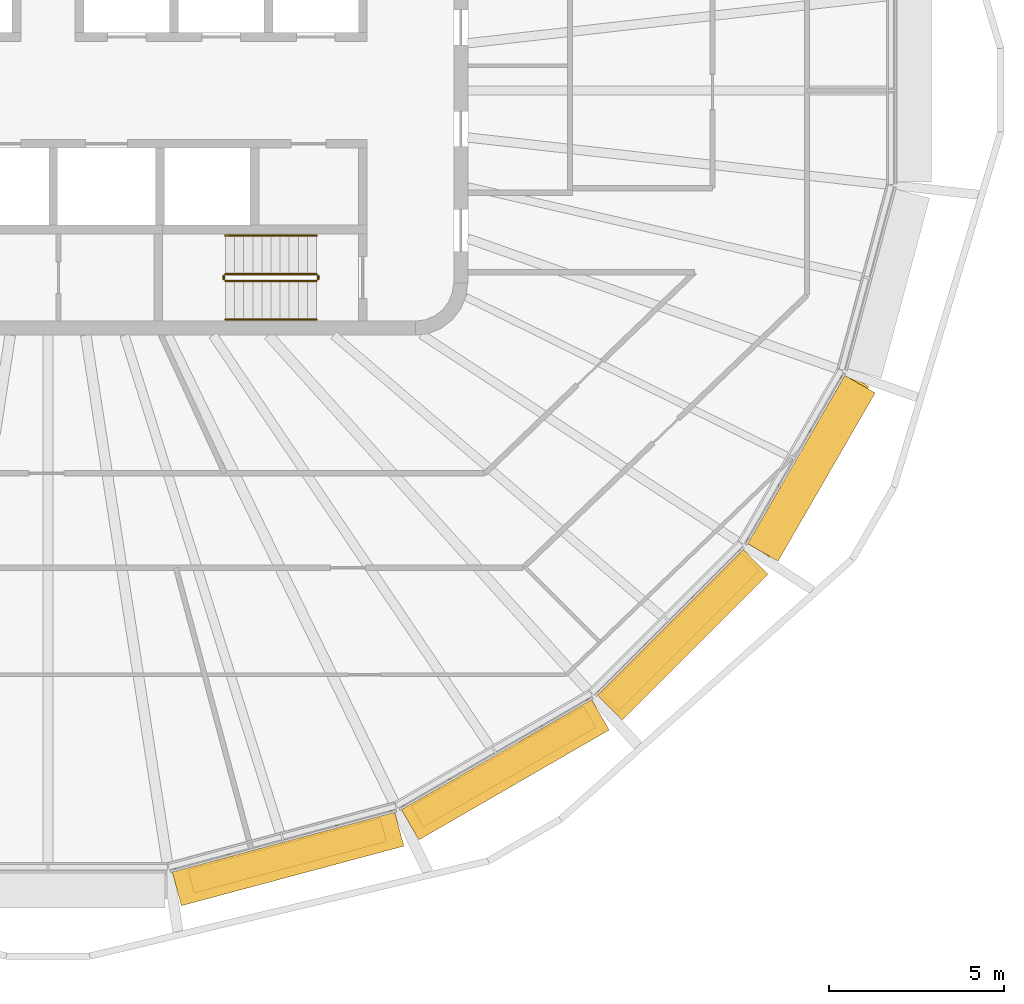
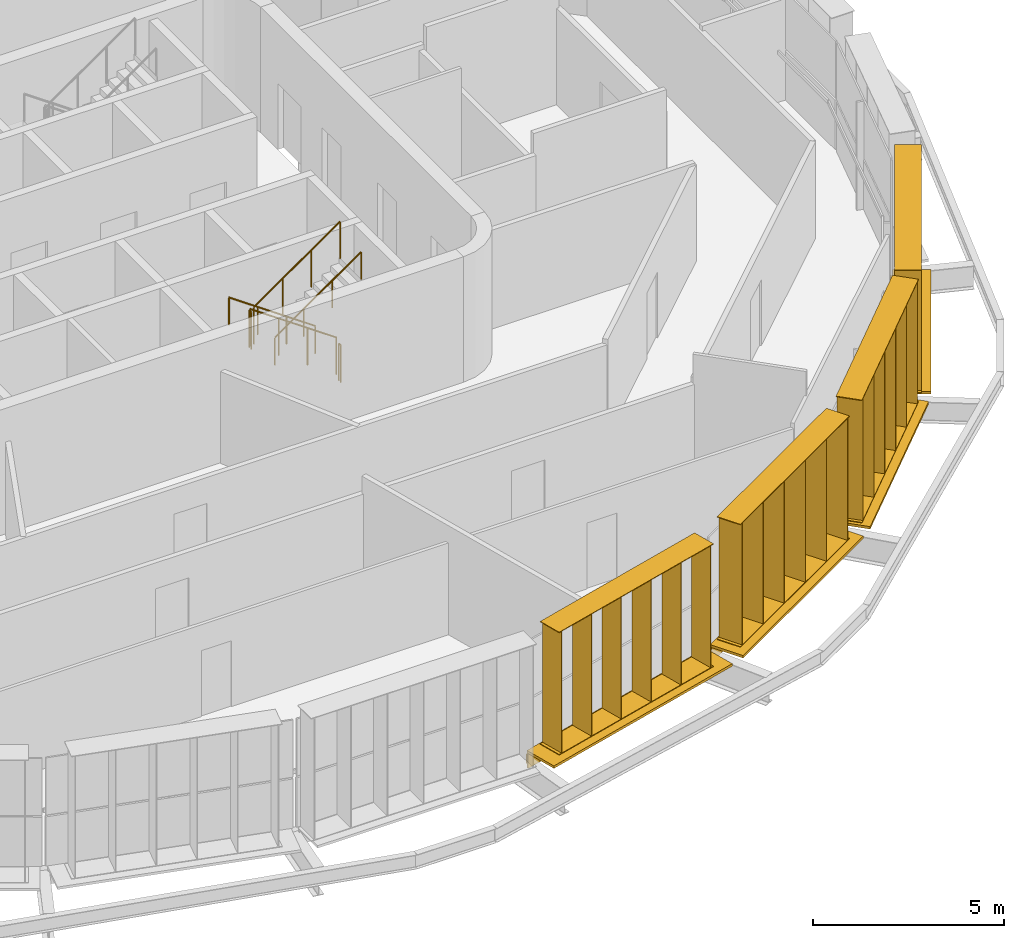
# One storey, part 16 of 18: 8 shading devices, 6 railings.
"""IFC4 building model written with IfcOpenShell, lengths in metres."""

from ifc_helpers import new_model, si_unit, direction, frame, origin, origin_2d, place, context, subcontext, project, spatial, rectangle, circle, extrude, material, type_object, element, save


model = new_model("IFC4")

# Units and contexts
model_context = context("Model", 3, precision=1e-05, world=origin(), true_north=direction((0.0, 1.0)))
body_context = subcontext(model_context, "Body", "Model", "MODEL_VIEW")
ifc_project = project(units=[si_unit("LENGTHUNIT", "METRE"), si_unit("AREAUNIT", "SQUARE_METRE"), si_unit("VOLUMEUNIT", "CUBIC_METRE"), si_unit("PLANEANGLEUNIT", "RADIAN"), si_unit("MASSUNIT", "GRAM", prefix="KILO")], contexts=[model_context])

# Site, building, storey
site_placement = place(None, origin())
site = spatial("IfcSite", under=ifc_project, at=site_placement, CompositionType="ELEMENT")
building_placement = place(site_placement, origin())
building = spatial("IfcBuilding", under=site, at=building_placement, Name="Sahrelin Media Tower", CompositionType="ELEMENT")
storey_placement = place(building_placement, frame((0.0, 0.0, 320.39990234375)))
storey = spatial("IfcBuildingStorey", under=building, at=storey_placement, Name="L71", CompositionType="ELEMENT", Elevation=320.39990234375)

# Shading devices
ifc_material_1 = material(Name="Champagne anodised aluminium 6063-T6", Category="aluminium")
shading_device_type_1 = type_object("IfcShadingDeviceType", Name="Fin cassette", PredefinedType="USERDEFINED", material=ifc_material_1)
placement_1 = place(storey_placement, frame((6.72900390625, -21.47265625, 0.0), z_axis=(0.0, 0.0, 1.0), x_axis=(-0.965928857556, -0.258807731996, 0.0)))
element("IfcShadingDevice", 1, at=placement_1, inside=storey, type_object=shading_device_type_1, Name="L71:FIN:L71-19", ObjectType="FIN", PredefinedType="USERDEFINED", context=body_context, shape_type="SweptSolid", body=[
    extrude(rectangle(XDim=5.699951171875, YDim=0.699951171875, at=origin_2d()), frame((0.0, 0.419921875, 0.0)), (0.0, 0.0, 1.0), 0.02001953125),
    extrude(rectangle(XDim=5.699951171875, YDim=0.699951171875, at=origin_2d()), frame((0.0, 0.419921875, 3.89990234375)), (0.0, 0.0, 1.0), 0.02001953125),
    extrude(rectangle(XDim=0.02001953125, YDim=0.699951171875, at=origin_2d()), frame((-2.75, 0.419921875, 0.010009765625), z_axis=(0.0, 0.0, 1.0), x_axis=(1.0, 0.0, 0.0)), (0.0, 0.0, 1.0), 3.89990234375),
    extrude(rectangle(XDim=0.02001953125, YDim=0.699951171875, at=origin_2d()), frame((-1.64990234375, 0.419921875, 0.010009765625), z_axis=(0.0, 0.0, 1.0), x_axis=(1.0, 0.0, 0.0)), (0.0, 0.0, 1.0), 3.89990234375),
    extrude(rectangle(XDim=0.02001953125, YDim=0.699951171875, at=origin_2d()), frame((-0.550048828125, 0.419921875, 0.010009765625), z_axis=(0.0, 0.0, 1.0), x_axis=(1.0, 0.0, 0.0)), (0.0, 0.0, 1.0), 3.89990234375),
    extrude(rectangle(XDim=0.02001953125, YDim=0.699951171875, at=origin_2d()), frame((0.550048828125, 0.419921875, 0.010009765625), z_axis=(0.0, 0.0, 1.0), x_axis=(1.0, 0.0, 0.0)), (0.0, 0.0, 1.0), 3.89990234375),
    extrude(rectangle(XDim=0.02001953125, YDim=0.699951171875, at=origin_2d()), frame((1.64990234375, 0.419921875, 0.010009765625), z_axis=(0.0, 0.0, 1.0), x_axis=(1.0, 0.0, 0.0)), (0.0, 0.0, 1.0), 3.89990234375),
    extrude(rectangle(XDim=0.02001953125, YDim=0.699951171875, at=origin_2d()), frame((2.75, 0.419921875, 0.010009765625), z_axis=(0.0, 0.0, 1.0), x_axis=(1.0, 0.0, 0.0)), (0.0, 0.0, 1.0), 3.89990234375),
])
placement_2 = place(storey_placement, frame((12.813720703125, -18.9736328125, 0.0), z_axis=(0.0, 0.0, 1.0), x_axis=(-0.866019052629, -0.500011000363, 0.0)))
element("IfcShadingDevice", 2, at=placement_2, inside=storey, type_object=shading_device_type_1, Name="L71:FIN:L71-20", ObjectType="FIN", PredefinedType="USERDEFINED", context=body_context, shape_type="SweptSolid", body=[
    extrude(rectangle(XDim=5.699951171875, YDim=0.699951171875, at=origin_2d()), frame((0.0, 0.419921875, 0.0)), (0.0, 0.0, 1.0), 0.02001953125),
    extrude(rectangle(XDim=5.699951171875, YDim=0.699951171875, at=origin_2d()), frame((0.0, 0.419921875, 3.89990234375)), (0.0, 0.0, 1.0), 0.02001953125),
    extrude(rectangle(XDim=0.02001953125, YDim=0.699951171875, at=origin_2d()), frame((-2.75, 0.419921875, 0.010009765625), z_axis=(0.0, 0.0, 1.0), x_axis=(1.0, 0.0, 0.0)), (0.0, 0.0, 1.0), 3.89990234375),
    extrude(rectangle(XDim=0.02001953125, YDim=0.699951171875, at=origin_2d()), frame((-1.64990234375, 0.419921875, 0.010009765625), z_axis=(0.0, 0.0, 1.0), x_axis=(1.0, 0.0, 0.0)), (0.0, 0.0, 1.0), 3.89990234375),
    extrude(rectangle(XDim=0.02001953125, YDim=0.699951171875, at=origin_2d()), frame((-0.550048828125, 0.419921875, 0.010009765625), z_axis=(0.0, 0.0, 1.0), x_axis=(1.0, 0.0, 0.0)), (0.0, 0.0, 1.0), 3.89990234375),
    extrude(rectangle(XDim=0.02001953125, YDim=0.699951171875, at=origin_2d()), frame((0.550048828125, 0.419921875, 0.010009765625), z_axis=(0.0, 0.0, 1.0), x_axis=(1.0, 0.0, 0.0)), (0.0, 0.0, 1.0), 3.89990234375),
    extrude(rectangle(XDim=0.02001953125, YDim=0.699951171875, at=origin_2d()), frame((1.64990234375, 0.419921875, 0.010009765625), z_axis=(0.0, 0.0, 1.0), x_axis=(1.0, 0.0, 0.0)), (0.0, 0.0, 1.0), 3.89990234375),
    extrude(rectangle(XDim=0.02001953125, YDim=0.699951171875, at=origin_2d()), frame((2.75, 0.419921875, 0.010009765625), z_axis=(0.0, 0.0, 1.0), x_axis=(1.0, 0.0, 0.0)), (0.0, 0.0, 1.0), 3.89990234375),
])
placement_3 = place(storey_placement, frame((17.7783203125, -15.195556640625, 0.0), z_axis=(0.0, 0.0, 1.0), x_axis=(-0.707106781187, -0.707106781187, 0.0)))
element("IfcShadingDevice", 3, at=placement_3, inside=storey, type_object=shading_device_type_1, Name="L71:FIN:L71-21", ObjectType="FIN", PredefinedType="USERDEFINED", context=body_context, shape_type="SweptSolid", body=[
    extrude(rectangle(XDim=5.699951171875, YDim=0.699951171875, at=origin_2d()), frame((0.0, 0.419921875, 0.0)), (0.0, 0.0, 1.0), 0.02001953125),
    extrude(rectangle(XDim=5.699951171875, YDim=0.699951171875, at=origin_2d()), frame((0.0, 0.419921875, 3.89990234375)), (0.0, 0.0, 1.0), 0.02001953125),
    extrude(rectangle(XDim=0.02001953125, YDim=0.699951171875, at=origin_2d()), frame((-2.75, 0.419921875, 0.010009765625), z_axis=(0.0, 0.0, 1.0), x_axis=(1.0, 0.0, 0.0)), (0.0, 0.0, 1.0), 3.89990234375),
    extrude(rectangle(XDim=0.02001953125, YDim=0.699951171875, at=origin_2d()), frame((-1.64990234375, 0.419921875, 0.010009765625), z_axis=(0.0, 0.0, 1.0), x_axis=(1.0, 0.0, 0.0)), (0.0, 0.0, 1.0), 3.89990234375),
    extrude(rectangle(XDim=0.02001953125, YDim=0.699951171875, at=origin_2d()), frame((-0.550048828125, 0.419921875, 0.010009765625), z_axis=(0.0, 0.0, 1.0), x_axis=(1.0, 0.0, 0.0)), (0.0, 0.0, 1.0), 3.89990234375),
    extrude(rectangle(XDim=0.02001953125, YDim=0.699951171875, at=origin_2d()), frame((0.550048828125, 0.419921875, 0.010009765625), z_axis=(0.0, 0.0, 1.0), x_axis=(1.0, 0.0, 0.0)), (0.0, 0.0, 1.0), 3.89990234375),
    extrude(rectangle(XDim=0.02001953125, YDim=0.699951171875, at=origin_2d()), frame((1.64990234375, 0.419921875, 0.010009765625), z_axis=(0.0, 0.0, 1.0), x_axis=(1.0, 0.0, 0.0)), (0.0, 0.0, 1.0), 3.89990234375),
    extrude(rectangle(XDim=0.02001953125, YDim=0.699951171875, at=origin_2d()), frame((2.75, 0.419921875, 0.010009765625), z_axis=(0.0, 0.0, 1.0), x_axis=(1.0, 0.0, 0.0)), (0.0, 0.0, 1.0), 3.89990234375),
])
placement_4 = place(storey_placement, frame((21.374755859375, -10.5458984375, 0.0), z_axis=(0.0, 0.0, 1.0), x_axis=(-0.500011000363, -0.866019052629, 0.0)))
element("IfcShadingDevice", 4, at=placement_4, inside=storey, type_object=shading_device_type_1, Name="L71:FIN:L71-22", ObjectType="FIN", PredefinedType="USERDEFINED", context=body_context, shape_type="SweptSolid", body=[
    extrude(rectangle(XDim=5.699951171875, YDim=0.699951171875, at=origin_2d()), frame((0.0, 0.419921875, 0.0)), (0.0, 0.0, 1.0), 0.02001953125),
    extrude(rectangle(XDim=5.699951171875, YDim=0.699951171875, at=origin_2d()), frame((0.0, 0.419921875, 3.89990234375)), (0.0, 0.0, 1.0), 0.02001953125),
    extrude(rectangle(XDim=0.02001953125, YDim=0.699951171875, at=origin_2d()), frame((-2.75, 0.419921875, 0.010009765625), z_axis=(0.0, 0.0, 1.0), x_axis=(1.0, 0.0, 0.0)), (0.0, 0.0, 1.0), 3.89990234375),
    extrude(rectangle(XDim=0.02001953125, YDim=0.699951171875, at=origin_2d()), frame((-1.64990234375, 0.419921875, 0.010009765625), z_axis=(0.0, 0.0, 1.0), x_axis=(1.0, 0.0, 0.0)), (0.0, 0.0, 1.0), 3.89990234375),
    extrude(rectangle(XDim=0.02001953125, YDim=0.699951171875, at=origin_2d()), frame((-0.550048828125, 0.419921875, 0.010009765625), z_axis=(0.0, 0.0, 1.0), x_axis=(1.0, 0.0, 0.0)), (0.0, 0.0, 1.0), 3.89990234375),
    extrude(rectangle(XDim=0.02001953125, YDim=0.699951171875, at=origin_2d()), frame((0.550048828125, 0.419921875, 0.010009765625), z_axis=(0.0, 0.0, 1.0), x_axis=(1.0, 0.0, 0.0)), (0.0, 0.0, 1.0), 3.89990234375),
    extrude(rectangle(XDim=0.02001953125, YDim=0.699951171875, at=origin_2d()), frame((1.64990234375, 0.419921875, 0.010009765625), z_axis=(0.0, 0.0, 1.0), x_axis=(1.0, 0.0, 0.0)), (0.0, 0.0, 1.0), 3.89990234375),
    extrude(rectangle(XDim=0.02001953125, YDim=0.699951171875, at=origin_2d()), frame((2.75, 0.419921875, 0.010009765625), z_axis=(0.0, 0.0, 1.0), x_axis=(1.0, 0.0, 0.0)), (0.0, 0.0, 1.0), 3.89990234375),
])

# Railings
ifc_material_2 = material(Name="Steel S355", Category="steel")
railing_type_1 = type_object("IfcRailingType", Name="Stair guard 1200", PredefinedType="GUARDRAIL", material=ifc_material_2)
railing_1_placement = place(storey_placement, frame((7.675048828125, -5.25, 0.181884765625)))
element("IfcRailing", 5, at=railing_1_placement, inside=storey, type_object=railing_type_1, Name="L71 ST2 stair guard 1", PredefinedType="GUARDRAIL", context=body_context, shape_type="SweptSolid", body=[
    extrude(circle(Radius=0.02392578125, at=origin_2d()), frame((0.0, 0.0, 1.17578125), z_axis=(-0.819521025635, 0.0, 0.573049115296), x_axis=(0.0, -1.0, 0.0)), (0.0, 0.0, 1.0), 3.172607421875),
    extrude(circle(Radius=0.02099609375, at=origin_2d()), origin(), (0.0, 0.0, 1.0), 1.15185546875),
    extrude(circle(Radius=0.02099609375, at=origin_2d()), frame((-0.86669921875, 0.0, 0.60595703125)), (0.0, 0.0, 1.0), 1.15185546875),
    extrude(circle(Radius=0.02099609375, at=origin_2d()), frame((-1.7333984375, 0.0, 1.212158203125)), (0.0, 0.0, 1.0), 1.15185546875),
    extrude(circle(Radius=0.02099609375, at=origin_2d()), frame((-2.60009765625, 0.0, 1.818115234375)), (0.0, 0.0, 1.0), 1.15185546875),
])
railing_2_placement = place(storey_placement, frame((5.02490234375, -5.300048828125, 2.0)))
element("IfcRailing", 6, at=railing_2_placement, inside=storey, type_object=railing_type_1, Name="L71 ST2 stair guard 2", PredefinedType="GUARDRAIL", context=body_context, shape_type="SweptSolid", body=[
    extrude(circle(Radius=0.02392578125, at=origin_2d()), frame((0.0, 0.0, 1.17578125), z_axis=(0.0, -1.0, 0.0), x_axis=(1.0, 0.0, 0.0)), (0.0, 0.0, 1.0), 0.099853515625),
    extrude(circle(Radius=0.02099609375, at=origin_2d()), origin(), (0.0, 0.0, 1.0), 1.15185546875),
    extrude(circle(Radius=0.02099609375, at=origin_2d()), frame((0.0, -0.099853515625, 0.0)), (0.0, 0.0, 1.0), 1.15185546875),
])
railing_3_placement = place(storey_placement, frame((5.074951171875, -5.449951171875, 2.181884765625)))
element("IfcRailing", 7, at=railing_3_placement, inside=storey, type_object=railing_type_1, Name="L71 ST2 stair guard 3", PredefinedType="GUARDRAIL", context=body_context, shape_type="SweptSolid", body=[
    extrude(circle(Radius=0.02392578125, at=origin_2d()), frame((0.0, 0.0, 1.17578125), z_axis=(0.819521025635, 0.0, 0.573049115296), x_axis=(0.0, 1.0, 0.0)), (0.0, 0.0, 1.0), 3.172607421875),
    extrude(circle(Radius=0.02099609375, at=origin_2d()), origin(), (0.0, 0.0, 1.0), 1.15185546875),
    extrude(circle(Radius=0.02099609375, at=origin_2d()), frame((0.86669921875, 0.0, 0.60595703125)), (0.0, 0.0, 1.0), 1.15185546875),
    extrude(circle(Radius=0.02099609375, at=origin_2d()), frame((1.7333984375, 0.0, 1.212158203125)), (0.0, 0.0, 1.0), 1.15185546875),
    extrude(circle(Radius=0.02099609375, at=origin_2d()), frame((2.60009765625, 0.0, 1.818115234375)), (0.0, 0.0, 1.0), 1.15185546875),
])
railing_4_placement = place(storey_placement, frame((7.72509765625, -5.300048828125, 0.0)))
element("IfcRailing", 8, at=railing_4_placement, inside=storey, type_object=railing_type_1, Name="L71 ST2 stair guard 4", PredefinedType="GUARDRAIL", context=body_context, shape_type="SweptSolid", body=[
    extrude(circle(Radius=0.02392578125, at=origin_2d()), frame((0.0, 0.0, 1.17578125), z_axis=(0.0, -1.0, 0.0), x_axis=(1.0, 0.0, 0.0)), (0.0, 0.0, 1.0), 0.099853515625),
    extrude(circle(Radius=0.02099609375, at=origin_2d()), origin(), (0.0, 0.0, 1.0), 1.15185546875),
    extrude(circle(Radius=0.02099609375, at=origin_2d()), frame((0.0, -0.099853515625, 0.0)), (0.0, 0.0, 1.0), 1.15185546875),
])
railing_type_2 = type_object("IfcRailingType", Name="Stair handrail 900", PredefinedType="HANDRAIL", material=ifc_material_2)
railing_5_placement = place(storey_placement, frame((7.675048828125, -4.14990234375, 0.181884765625)))
element("IfcRailing", 9, at=railing_5_placement, inside=storey, type_object=railing_type_2, Name="L71 ST2 stair handrail 1", PredefinedType="HANDRAIL", context=body_context, shape_type="SweptSolid", body=[
    extrude(circle(Radius=0.02392578125, at=origin_2d()), frame((0.0, 0.0, 0.8759765625), z_axis=(-0.819521025635, 0.0, 0.573049115296), x_axis=(0.0, -1.0, 0.0)), (0.0, 0.0, 1.0), 3.172607421875),
    extrude(circle(Radius=0.02099609375, at=origin_2d()), origin(), (0.0, 0.0, 1.0), 0.851806640625),
    extrude(circle(Radius=0.02099609375, at=origin_2d()), frame((-0.86669921875, 0.0, 0.60595703125)), (0.0, 0.0, 1.0), 0.851806640625),
    extrude(circle(Radius=0.02099609375, at=origin_2d()), frame((-1.7333984375, 0.0, 1.212158203125)), (0.0, 0.0, 1.0), 0.851806640625),
    extrude(circle(Radius=0.02099609375, at=origin_2d()), frame((-2.60009765625, 0.0, 1.818115234375)), (0.0, 0.0, 1.0), 0.851806640625),
])
railing_6_placement = place(storey_placement, frame((5.074951171875, -6.550048828125, 2.181884765625)))
element("IfcRailing", 10, at=railing_6_placement, inside=storey, type_object=railing_type_2, Name="L71 ST2 stair handrail 2", PredefinedType="HANDRAIL", context=body_context, shape_type="SweptSolid", body=[
    extrude(circle(Radius=0.02392578125, at=origin_2d()), frame((0.0, 0.0, 0.8759765625), z_axis=(0.819521025635, 0.0, 0.573049115296), x_axis=(0.0, 1.0, 0.0)), (0.0, 0.0, 1.0), 3.172607421875),
    extrude(circle(Radius=0.02099609375, at=origin_2d()), origin(), (0.0, 0.0, 1.0), 0.851806640625),
    extrude(circle(Radius=0.02099609375, at=origin_2d()), frame((0.86669921875, 0.0, 0.60595703125)), (0.0, 0.0, 1.0), 0.851806640625),
    extrude(circle(Radius=0.02099609375, at=origin_2d()), frame((1.7333984375, 0.0, 1.212158203125)), (0.0, 0.0, 1.0), 0.851806640625),
    extrude(circle(Radius=0.02099609375, at=origin_2d()), frame((2.60009765625, 0.0, 1.818115234375)), (0.0, 0.0, 1.0), 0.851806640625),
])

# Shading devices
shading_device_type_2 = type_object("IfcShadingDeviceType", Name="Sunshade band", PredefinedType="USERDEFINED", material=ifc_material_1)
element("IfcShadingDevice", 11, at=placement_1, inside=storey, type_object=shading_device_type_2, Name="L71:SUN:L71-19", ObjectType="SUNSHADE", PredefinedType="USERDEFINED", context=body_context, shape_type="SweptSolid", body=[
    extrude(rectangle(XDim=6.586181640625, YDim=0.050048828125, at=origin_2d()), frame((0.0, 0.044921875, -0.55126953125)), (0.0, 0.0, 1.0), 0.471435546875),
    extrude(rectangle(XDim=6.586181640625, YDim=1.0, at=origin_2d()), frame((0.0, 0.52001953125, -0.080078125)), (0.0, 0.0, 1.0), 0.080078125),
    extrude(rectangle(XDim=0.10009765625, YDim=0.074951171875, at=origin_2d()), frame((-3.193115234375, -0.017578125, -0.47021484375)), (0.0, 0.0, 1.0), 0.300048828125),
    extrude(rectangle(XDim=0.10009765625, YDim=0.074951171875, at=origin_2d()), frame((-1.5966796875, -0.017578125, -0.47021484375)), (0.0, 0.0, 1.0), 0.300048828125),
    extrude(rectangle(XDim=0.10009765625, YDim=0.074951171875, at=origin_2d()), frame((0.0, -0.017578125, -0.47021484375)), (0.0, 0.0, 1.0), 0.300048828125),
    extrude(rectangle(XDim=0.10009765625, YDim=0.074951171875, at=origin_2d()), frame((1.5966796875, -0.017578125, -0.47021484375)), (0.0, 0.0, 1.0), 0.300048828125),
    extrude(rectangle(XDim=0.10009765625, YDim=0.074951171875, at=origin_2d()), frame((3.193115234375, -0.017578125, -0.47021484375)), (0.0, 0.0, 1.0), 0.300048828125),
])
element("IfcShadingDevice", 12, at=placement_2, inside=storey, type_object=shading_device_type_2, Name="L71:SUN:L71-20", ObjectType="SUNSHADE", PredefinedType="USERDEFINED", context=body_context, shape_type="SweptSolid", body=[
    extrude(rectangle(XDim=6.282958984375, YDim=0.050048828125, at=origin_2d()), frame((0.0, 0.044921875, -0.55126953125)), (0.0, 0.0, 1.0), 0.471435546875),
    extrude(rectangle(XDim=6.282958984375, YDim=1.0, at=origin_2d()), frame((0.0, 0.52001953125, -0.080078125)), (0.0, 0.0, 1.0), 0.080078125),
    extrude(rectangle(XDim=0.10009765625, YDim=0.074951171875, at=origin_2d()), frame((-3.04150390625, -0.017578125, -0.47021484375)), (0.0, 0.0, 1.0), 0.300048828125),
    extrude(rectangle(XDim=0.10009765625, YDim=0.074951171875, at=origin_2d()), frame((-1.520751953125, -0.017578125, -0.47021484375)), (0.0, 0.0, 1.0), 0.300048828125),
    extrude(rectangle(XDim=0.10009765625, YDim=0.074951171875, at=origin_2d()), frame((0.0, -0.017578125, -0.47021484375)), (0.0, 0.0, 1.0), 0.300048828125),
    extrude(rectangle(XDim=0.10009765625, YDim=0.074951171875, at=origin_2d()), frame((1.520751953125, -0.017578125, -0.47021484375)), (0.0, 0.0, 1.0), 0.300048828125),
    extrude(rectangle(XDim=0.10009765625, YDim=0.074951171875, at=origin_2d()), frame((3.04150390625, -0.017578125, -0.47021484375)), (0.0, 0.0, 1.0), 0.300048828125),
])
element("IfcShadingDevice", 13, at=placement_3, inside=storey, type_object=shading_device_type_2, Name="L71:SUN:L71-21", ObjectType="SUNSHADE", PredefinedType="USERDEFINED", context=body_context, shape_type="SweptSolid", body=[
    extrude(rectangle(XDim=5.902099609375, YDim=0.050048828125, at=origin_2d()), frame((0.0, 0.044921875, -0.55126953125)), (0.0, 0.0, 1.0), 0.471435546875),
    extrude(rectangle(XDim=5.902099609375, YDim=1.0, at=origin_2d()), frame((0.0, 0.52001953125, -0.080078125)), (0.0, 0.0, 1.0), 0.080078125),
    extrude(rectangle(XDim=0.10009765625, YDim=0.074951171875, at=origin_2d()), frame((-2.85107421875, -0.017578125, -0.47021484375)), (0.0, 0.0, 1.0), 0.300048828125),
    extrude(rectangle(XDim=0.10009765625, YDim=0.074951171875, at=origin_2d()), frame((-0.950439453125, -0.017578125, -0.47021484375)), (0.0, 0.0, 1.0), 0.300048828125),
    extrude(rectangle(XDim=0.10009765625, YDim=0.074951171875, at=origin_2d()), frame((0.950439453125, -0.017578125, -0.47021484375)), (0.0, 0.0, 1.0), 0.300048828125),
    extrude(rectangle(XDim=0.10009765625, YDim=0.074951171875, at=origin_2d()), frame((2.85107421875, -0.017578125, -0.47021484375)), (0.0, 0.0, 1.0), 0.300048828125),
])
element("IfcShadingDevice", 14, at=placement_4, inside=storey, type_object=shading_device_type_2, Name="L71:SUN:L71-22", ObjectType="SUNSHADE", PredefinedType="USERDEFINED", context=body_context, shape_type="SweptSolid", body=[
    extrude(rectangle(XDim=5.5556640625, YDim=0.050048828125, at=origin_2d()), frame((0.0, 0.044921875, -0.55126953125)), (0.0, 0.0, 1.0), 0.471435546875),
    extrude(rectangle(XDim=5.5556640625, YDim=1.0, at=origin_2d()), frame((0.0, 0.52001953125, -0.080078125)), (0.0, 0.0, 1.0), 0.080078125),
    extrude(rectangle(XDim=0.10009765625, YDim=0.074951171875, at=origin_2d()), frame((-2.677978515625, -0.017578125, -0.47021484375)), (0.0, 0.0, 1.0), 0.300048828125),
    extrude(rectangle(XDim=0.10009765625, YDim=0.074951171875, at=origin_2d()), frame((-0.892578125, -0.017578125, -0.47021484375)), (0.0, 0.0, 1.0), 0.300048828125),
    extrude(rectangle(XDim=0.10009765625, YDim=0.074951171875, at=origin_2d()), frame((0.892578125, -0.017578125, -0.47021484375)), (0.0, 0.0, 1.0), 0.300048828125),
    extrude(rectangle(XDim=0.10009765625, YDim=0.074951171875, at=origin_2d()), frame((2.677978515625, -0.017578125, -0.47021484375)), (0.0, 0.0, 1.0), 0.300048828125),
])

save(model, "model.ifc")
